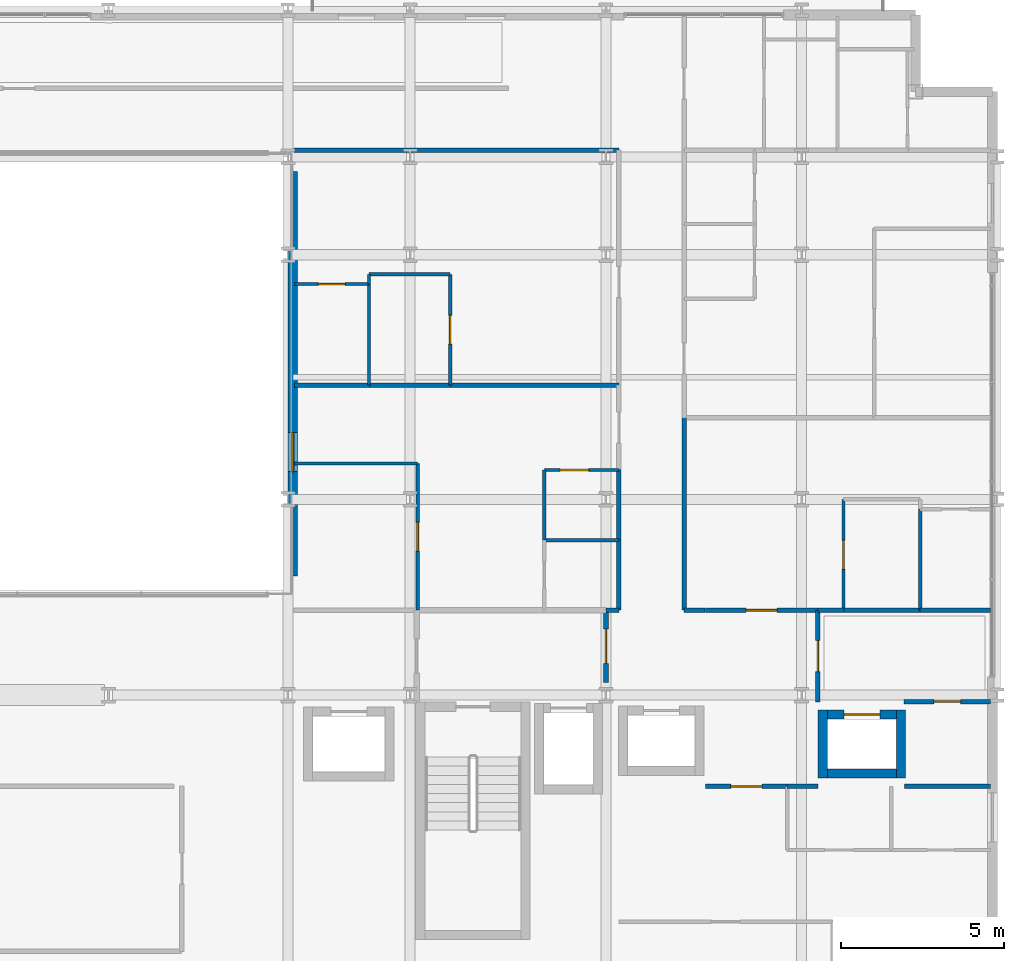
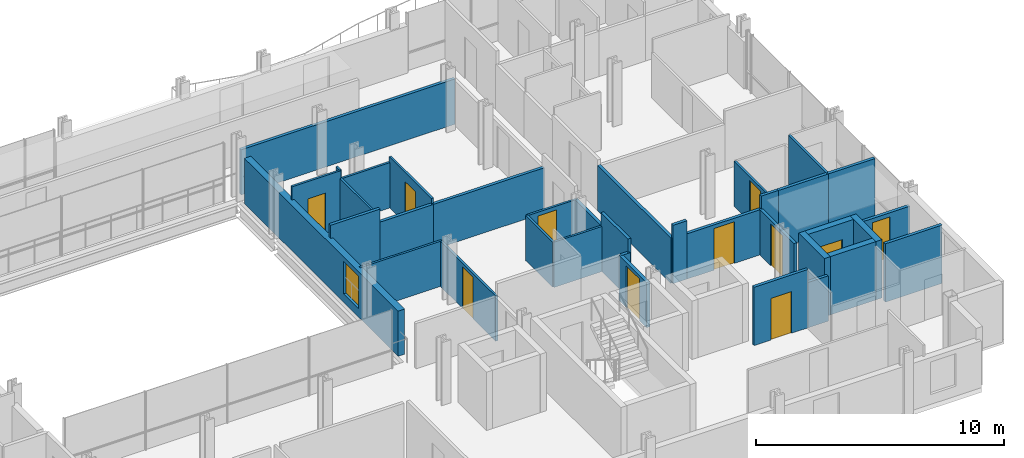
# One storey, part 35 of 41: 36 walls, 11 doors, 1 window, 12 openings.
"""IFC4 building model written with IfcOpenShell, lengths in metres."""

from ifc_helpers import new_model, si_unit, direction, frame, frame_2d, origin, place, context, subcontext, project, spatial, rectangle, extrude, material, layer, layer_set, type_object, element, fill, save


model = new_model("IFC4")

# Units and contexts
model_context = context("Model", 3, precision=1e-05, world=origin(), true_north=direction((0.0, 1.0)))
body_context = subcontext(model_context, "Body", "Model", "MODEL_VIEW")
ifc_project = project(units=[si_unit("LENGTHUNIT", "METRE"), si_unit("AREAUNIT", "SQUARE_METRE"), si_unit("VOLUMEUNIT", "CUBIC_METRE"), si_unit("PLANEANGLEUNIT", "RADIAN"), si_unit("MASSUNIT", "GRAM", prefix="KILO")], contexts=[model_context])

# Site, building, storey
site_placement = place(None, origin())
site = spatial("IfcSite", under=ifc_project, at=site_placement, CompositionType="ELEMENT")
building_placement = place(site_placement, origin())
building = spatial("IfcBuilding", under=site, at=building_placement, Name="Brevholm Reach", CompositionType="ELEMENT")
storey_placement = place(building_placement, frame((0.0, 0.0, 55.89990234375)))
storey = spatial("IfcBuildingStorey", under=building, at=storey_placement, Name="L15", CompositionType="ELEMENT", Elevation=55.89990234375)

# Walls
ifc_material_1 = material(Name="Concrete C50/60", Category="concrete")
ifc_layer_1 = layer(ifc_material_1, 0.280029296875)
ifc_layer_set_1 = layer_set([ifc_layer_1], Name="Concrete C50/60")
wall_type_1 = type_object("IfcWallType", Name="WAL-COR-280", PredefinedType="SHEAR", material=ifc_layer_set_1)
for number, where, z_axis, x_axis, name in (
    (1, (54.64990234375, 7.4599609375, 0.0), (0.0, 0.0, 1.0), (0.0, 1.0, 0.0), "L15 Lift PL-L2 Shaft Wall W"),
    (2, (57.050048828125, 7.4599609375, 0.0), (0.0, 0.0, 1.0), (0.0, 1.0, 0.0), "L15 Lift PL-L2 Shaft Wall E"),
):
    element("IfcWall", number, at=place(storey_placement, frame(where, z_axis=z_axis, x_axis=x_axis)), inside=storey, type_object=wall_type_1, Name=name, PredefinedType="SHEAR", context=body_context, shape_type="SweptSolid", body=[
        extrude(rectangle(XDim=2.080078125, YDim=0.280029296875, at=frame_2d((1.0400390625, 0.0))), origin(), (0.0, 0.0, 1.0), 2.8701171875),
    ])
wall_1_placement = place(storey_placement, frame((54.7900390625, 7.60009765625, 0.0), z_axis=(0.0, 0.0, 1.0), x_axis=(1.0, 0.0, 0.0)))
element("IfcWall", 3, at=wall_1_placement, inside=storey, type_object=wall_type_1, Name="L15 Lift PL-L2 Shaft Wall S", PredefinedType="SHEAR", context=body_context, shape_type="SweptSolid", body=[
    extrude(rectangle(XDim=2.119873046875, YDim=0.280029296875, at=frame_2d((1.06005859375, 0.0))), origin(), (0.0, 0.0, 1.0), 2.8701171875),
])

# Wall, opening, door
wall_2_placement = place(storey_placement, frame((54.7900390625, 9.39990234375, 0.0), z_axis=(0.0, 0.0, 1.0), x_axis=(1.0, 0.0, 0.0)))
wall_2 = element("IfcWall", 4, at=wall_2_placement, inside=storey, type_object=wall_type_1, Name="L15 Lift PL-L2 Shaft Wall N", PredefinedType="SHEAR", context=body_context, shape_type="SweptSolid", body=[
    extrude(rectangle(XDim=2.119873046875, YDim=0.280029296875, at=frame_2d((1.06005859375, 0.0))), origin(), (0.0, 0.0, 1.0), 2.8701171875),
])
opening_1_placement = place(wall_2_placement, frame((0.510009765625, 0.0, 0.0)))
opening_1 = element("IfcOpeningElement", 5, at=opening_1_placement, cuts=wall_2, Name="Opening LD-PL-L2", PredefinedType="OPENING", context=body_context, shape_type="SweptSolid", body=[
    extrude(rectangle(XDim=1.10009765625, YDim=2.06005859375, at=frame_2d((0.550048828125, 1.030029296875))), frame((0.0, 0.14990234375, 0.0), z_axis=(0.0, -1.0, 0.0), x_axis=(1.0, 0.0, 0.0)), (0.0, 0.0, 1.0), 0.300048828125),
])
ifc_material_2 = material(Name="Brushed Stainless Steel Fire-Rated Sliding Lift Door", Category="steel")
door_type_1 = type_object("IfcDoorType", Name="DOR-LFT-1100", OperationType="NOTDEFINED", PredefinedType="DOOR", material=ifc_material_2)
door_1_placement = place(opening_1_placement, origin())
door_1 = element("IfcDoor", 6, at=door_1_placement, inside=storey, type_object=door_type_1, Name="L15 Lift PL-L2 Sliding Landing Door", OperationType="SLIDING_TO_RIGHT", OverallHeight=2.06005859375, OverallWidth=1.10009765625, PredefinedType="DOOR", context=body_context, shape_type="SweptSolid", body=[
    extrude(rectangle(XDim=1.10009765625, YDim=2.06005859375, at=frame_2d((0.550048828125, 1.030029296875))), frame((0.0, 0.02490234375, 0.0), z_axis=(0.0, -1.0, 0.0), x_axis=(1.0, 0.0, 0.0)), (0.0, 0.0, 1.0), 0.050048828125),
])
fill(opening_1, door_1)

# Wall, opening, window
ifc_material_3 = material(Name="Concrete C40/50", Category="concrete")
ifc_layer_2 = layer(ifc_material_3, 0.300048828125)
ifc_layer_set_2 = layer_set([ifc_layer_2], Name="Concrete C40/50")
wall_type_2 = type_object("IfcWallType", Name="WAL-EXT-300", PredefinedType="STANDARD", material=ifc_layer_set_2)
wall_3_placement = place(storey_placement, frame((38.39990234375, 13.64990234375, 0.0), z_axis=(0.0, 0.0, 1.0), x_axis=(0.0, 1.0, 0.0)))
wall_3 = element("IfcWall", 7, at=wall_3_placement, inside=storey, type_object=wall_type_2, Name="L15 Facade Wall WAL-L15-AT-E", PredefinedType="STANDARD", context=body_context, shape_type="SweptSolid", body=[
    extrude(rectangle(XDim=12.400146484375, YDim=0.300048828125, at=frame_2d((6.2001953125, 0.0))), origin(), (0.0, 0.0, 1.0), 2.224853515625),
])
opening_2_placement = place(wall_3_placement, frame((3.199951171875, 0.0, 0.405029296875)))
opening_2 = element("IfcOpeningElement", 8, at=opening_2_placement, cuts=wall_3, Name="Opening WN-08", PredefinedType="OPENING", context=body_context, shape_type="SweptSolid", body=[
    extrude(rectangle(XDim=1.199951171875, YDim=1.60009765625, at=frame_2d((0.60009765625, 0.800048828125))), frame((0.0, 0.159912109375, 0.0), z_axis=(0.0, -1.0, 0.0), x_axis=(1.0, 0.0, 0.0)), (0.0, 0.0, 1.0), 0.320068359375),
])
ifc_material_4 = material(Name="Dark Anodised Aluminium and Solar-Control IGU Glass", Category="aluminium")
window_type = type_object("IfcWindowType", Name="WIN-RES-1200", PartitioningType="SINGLE_PANEL", PredefinedType="WINDOW", material=ifc_material_4)
window_placement = place(opening_2_placement, origin())
window = element("IfcWindow", 9, at=window_placement, inside=storey, type_object=window_type, Name="L15 Window WIN-L15-AT-E1", OverallHeight=1.60009765625, OverallWidth=1.199951171875, PartitioningType="SINGLE_PANEL", PredefinedType="WINDOW", context=body_context, shape_type="SweptSolid", body=[
    extrude(rectangle(XDim=1.199951171875, YDim=1.60009765625, at=frame_2d((0.60009765625, 0.800048828125))), frame((0.0, 0.030029296875, 0.0), z_axis=(0.0, -1.0, 0.0), x_axis=(1.0, 0.0, 0.0)), (0.0, 0.0, 1.0), 0.06005859375),
])
fill(opening_2, window)

# Wall
ifc_material_5 = material(Name="Moisture-Resistant Acoustic Gypsum Stud Partition 100 mm", Category="gypsum")
ifc_layer_3 = layer(ifc_material_5, 0.10009765625)
ifc_layer_set_3 = layer_set([ifc_layer_3], Name="Moisture-Resistant Acoustic Gypsum Stud Partition 100 mm")
wall_type_3 = type_object("IfcWallType", Name="WAL-PRT-100", PredefinedType="PARTITIONING", material=ifc_layer_set_3)
wall_4_placement = place(storey_placement, frame((46.112060546875, 14.75, 0.0), z_axis=(0.0, 0.0, 1.0), x_axis=(1.0, 0.0, 0.0)))
element("IfcWall", 10, at=wall_4_placement, inside=storey, type_object=wall_type_3, Name="L15 Internal Partition 110", PredefinedType="PARTITIONING", context=body_context, shape_type="SweptSolid", body=[
    extrude(rectangle(XDim=2.283935546875, YDim=0.10009765625, at=frame_2d((1.14208984375, 0.0))), origin(), (0.0, 0.0, 1.0), 2.224853515625),
])

# Wall, opening, door
wall_5_placement = place(storey_placement, frame((46.112060546875, 16.89990234375, 0.0), z_axis=(0.0, 0.0, 1.0), x_axis=(1.0, 0.0, 0.0)))
wall_5 = element("IfcWall", 11, at=wall_5_placement, inside=storey, type_object=wall_type_3, Name="L15 Internal Partition 112", PredefinedType="PARTITIONING", context=body_context, shape_type="SweptSolid", body=[
    extrude(rectangle(XDim=2.283935546875, YDim=0.10009765625, at=frame_2d((1.14208984375, 0.0))), origin(), (0.0, 0.0, 1.0), 2.224853515625),
])
opening_3_placement = place(wall_5_placement, frame((0.48193359375, 0.0, 0.0)))
opening_3 = element("IfcOpeningElement", 12, at=opening_3_placement, cuts=wall_5, Name="Opening ID-01", PredefinedType="OPENING", context=body_context, shape_type="SweptSolid", body=[
    extrude(rectangle(XDim=0.8798828125, YDim=2.0400390625, at=frame_2d((0.43994140625, 1.02001953125))), frame((0.0, 0.06005859375, 0.0), z_axis=(0.0, -1.0, 0.0), x_axis=(1.0, 0.0, 0.0)), (0.0, 0.0, 1.0), 0.1201171875),
])
ifc_material_6 = material(Name="Lacquered Ash Solid-Core Acoustic Internal Door", Category="timber")
door_type_2 = type_object("IfcDoorType", Name="DOR-INT-880", OperationType="NOTDEFINED", PredefinedType="DOOR", material=ifc_material_6)
door_2_placement = place(opening_3_placement, origin())
door_2 = element("IfcDoor", 13, at=door_2_placement, inside=storey, type_object=door_type_2, Name="L15 Internal Door 044", OperationType="SINGLE_SWING_LEFT", OverallHeight=2.0400390625, OverallWidth=0.8798828125, PredefinedType="DOOR", context=body_context, shape_type="SweptSolid", body=[
    extrude(rectangle(XDim=0.8798828125, YDim=2.0400390625, at=frame_2d((0.43994140625, 1.02001953125))), frame((0.0, 0.02490234375, 0.0), z_axis=(0.0, -1.0, 0.0), x_axis=(1.0, 0.0, 0.0)), (0.0, 0.0, 1.0), 0.050048828125),
])
fill(opening_3, door_2)

# Wall
wall_6_placement = place(storey_placement, frame((46.112060546875, 14.75390625, 0.0), z_axis=(0.0, 0.0, 1.0), x_axis=(0.0, 1.0, 0.0)))
element("IfcWall", 14, at=wall_6_placement, inside=storey, type_object=wall_type_3, Name="L15 Internal Partition 113", PredefinedType="PARTITIONING", context=body_context, shape_type="SweptSolid", body=[
    extrude(rectangle(XDim=2.14599609375, YDim=0.10009765625, at=frame_2d((1.072998046875, 0.0))), origin(), (0.0, 0.0, 1.0), 2.224853515625),
])

# Wall, opening, door
wall_7_placement = place(storey_placement, frame((42.23095703125, 12.60400390625, 0.0), z_axis=(0.0, 0.0, 1.0), x_axis=(0.0, 1.0, 0.0)))
wall_7 = element("IfcWall", 15, at=wall_7_placement, inside=storey, type_object=wall_type_3, Name="L15 Internal Partition 114", PredefinedType="PARTITIONING", context=body_context, shape_type="SweptSolid", body=[
    extrude(rectangle(XDim=4.49609375, YDim=0.10009765625, at=frame_2d((2.248046875, 0.0))), origin(), (0.0, 0.0, 1.0), 2.224853515625),
])
opening_4_placement = place(wall_7_placement, frame((1.80810546875, 0.0, 0.0)))
opening_4 = element("IfcOpeningElement", 16, at=opening_4_placement, cuts=wall_7, Name="Opening ID-01", PredefinedType="OPENING", context=body_context, shape_type="SweptSolid", body=[
    extrude(rectangle(XDim=0.8798828125, YDim=2.0400390625, at=frame_2d((0.43994140625, 1.02001953125))), frame((0.0, 0.06005859375, 0.0), z_axis=(0.0, -1.0, 0.0), x_axis=(1.0, 0.0, 0.0)), (0.0, 0.0, 1.0), 0.1201171875),
])
door_3_placement = place(opening_4_placement, origin())
door_3 = element("IfcDoor", 17, at=door_3_placement, inside=storey, type_object=door_type_2, Name="L15 Internal Door 045", OperationType="SINGLE_SWING_RIGHT", OverallHeight=2.0400390625, OverallWidth=0.8798828125, PredefinedType="DOOR", context=body_context, shape_type="SweptSolid", body=[
    extrude(rectangle(XDim=0.8798828125, YDim=2.0400390625, at=frame_2d((0.43994140625, 1.02001953125))), frame((0.0, 0.02490234375, 0.0), z_axis=(0.0, -1.0, 0.0), x_axis=(1.0, 0.0, 0.0)), (0.0, 0.0, 1.0), 0.050048828125),
])
fill(opening_4, door_3)

# Walls
wall_8_placement = place(storey_placement, frame((38.449951171875, 17.10009765625, 0.0), z_axis=(0.0, 0.0, 1.0), x_axis=(1.0, 0.0, 0.0)))
element("IfcWall", 18, at=wall_8_placement, inside=storey, type_object=wall_type_3, Name="L15 Internal Partition 115", PredefinedType="PARTITIONING", context=body_context, shape_type="SweptSolid", body=[
    extrude(rectangle(XDim=3.781005859375, YDim=0.10009765625, at=frame_2d((1.890625, 0.0))), origin(), (0.0, 0.0, 1.0), 2.224853515625),
])
wall_9_placement = place(storey_placement, frame((40.738037109375, 19.50390625, 0.0), z_axis=(0.0, 0.0, 1.0), x_axis=(0.0, 1.0, 0.0)))
element("IfcWall", 19, at=wall_9_placement, inside=storey, type_object=wall_type_3, Name="L15 Internal Partition 119", PredefinedType="PARTITIONING", context=body_context, shape_type="SweptSolid", body=[
    extrude(rectangle(XDim=3.09619140625, YDim=0.10009765625, at=frame_2d((1.548095703125, 0.0))), origin(), (0.0, 0.0, 1.0), 2.489990234375),
])

# Wall, opening, door
wall_10_placement = place(storey_placement, frame((38.449951171875, 22.60009765625, 0.0), z_axis=(0.0, 0.0, 1.0), x_axis=(1.0, 0.0, 0.0)))
wall_10 = element("IfcWall", 20, at=wall_10_placement, inside=storey, type_object=wall_type_3, Name="L15 Internal Partition 120", PredefinedType="PARTITIONING", context=body_context, shape_type="SweptSolid", body=[
    extrude(rectangle(XDim=2.2880859375, YDim=0.10009765625, at=frame_2d((1.14404296875, 0.0))), origin(), (0.0, 0.0, 1.0), 2.8701171875),
])
opening_5_placement = place(wall_10_placement, frame((0.73388671875, 0.0, 0.0)))
opening_5 = element("IfcOpeningElement", 21, at=opening_5_placement, cuts=wall_10, Name="Opening ID-03", PredefinedType="OPENING", context=body_context, shape_type="SweptSolid", body=[
    extrude(rectangle(XDim=0.820068359375, YDim=2.02001953125, at=frame_2d((0.41015625, 1.010009765625))), frame((0.0, 0.06005859375, 0.0), z_axis=(0.0, -1.0, 0.0), x_axis=(1.0, 0.0, 0.0)), (0.0, 0.0, 1.0), 0.1201171875),
])
ifc_material_7 = material(Name="Moisture-Resistant Painted Timber Internal Bathroom Door", Category="wood")
door_type_3 = type_object("IfcDoorType", Name="DOR-BATH-820", OperationType="NOTDEFINED", PredefinedType="DOOR", material=ifc_material_7)
door_4_placement = place(opening_5_placement, origin())
door_4 = element("IfcDoor", 22, at=door_4_placement, inside=storey, type_object=door_type_3, Name="L15 Internal Door 046", OperationType="SINGLE_SWING_LEFT", OverallHeight=2.02001953125, OverallWidth=0.820068359375, PredefinedType="DOOR", context=body_context, shape_type="SweptSolid", body=[
    extrude(rectangle(XDim=0.820068359375, YDim=2.02001953125, at=frame_2d((0.41015625, 1.010009765625))), frame((0.0, 0.02490234375, 0.0), z_axis=(0.0, -1.0, 0.0), x_axis=(1.0, 0.0, 0.0)), (0.0, 0.0, 1.0), 0.050048828125),
])
fill(opening_5, door_4)

wall_11_placement = place(storey_placement, frame((43.22509765625, 19.50390625, 0.0), z_axis=(0.0, 0.0, 1.0), x_axis=(0.0, 1.0, 0.0)))
wall_11 = element("IfcWall", 23, at=wall_11_placement, inside=storey, type_object=wall_type_3, Name="L15 Internal Partition 121", PredefinedType="PARTITIONING", context=body_context, shape_type="SweptSolid", body=[
    extrude(rectangle(XDim=3.39599609375, YDim=0.10009765625, at=frame_2d((1.697998046875, 0.0))), origin(), (0.0, 0.0, 1.0), 2.489990234375),
])
opening_6_placement = place(wall_11_placement, frame((1.258056640625, 0.0, 0.0)))
opening_6 = element("IfcOpeningElement", 24, at=opening_6_placement, cuts=wall_11, Name="Opening ID-01", PredefinedType="OPENING", context=body_context, shape_type="SweptSolid", body=[
    extrude(rectangle(XDim=0.8798828125, YDim=2.0400390625, at=frame_2d((0.43994140625, 1.02001953125))), frame((0.0, 0.06005859375, 0.0), z_axis=(0.0, -1.0, 0.0), x_axis=(1.0, 0.0, 0.0)), (0.0, 0.0, 1.0), 0.1201171875),
])
door_5_placement = place(opening_6_placement, origin())
door_5 = element("IfcDoor", 25, at=door_5_placement, inside=storey, type_object=door_type_2, Name="L15 Internal Door 047", OperationType="SINGLE_SWING_RIGHT", OverallHeight=2.0400390625, OverallWidth=0.8798828125, PredefinedType="DOOR", context=body_context, shape_type="SweptSolid", body=[
    extrude(rectangle(XDim=0.8798828125, YDim=2.0400390625, at=frame_2d((0.43994140625, 1.02001953125))), frame((0.0, 0.02490234375, 0.0), z_axis=(0.0, -1.0, 0.0), x_axis=(1.0, 0.0, 0.0)), (0.0, 0.0, 1.0), 0.050048828125),
])
fill(opening_6, door_5)

# Walls
wall_12_placement = place(storey_placement, frame((40.738037109375, 22.89990234375, 0.0), z_axis=(0.0, 0.0, 1.0), x_axis=(1.0, 0.0, 0.0)))
element("IfcWall", 26, at=wall_12_placement, inside=storey, type_object=wall_type_3, Name="L15 Internal Partition 122", PredefinedType="PARTITIONING", context=body_context, shape_type="SweptSolid", body=[
    extrude(rectangle(XDim=2.487060546875, YDim=0.10009765625, at=frame_2d((1.24365234375, 0.0))), origin(), (0.0, 0.0, 1.0), 2.224853515625),
])
wall_13_placement = place(storey_placement, frame((40.738037109375, 22.60400390625, 0.0), z_axis=(0.0, 0.0, 1.0), x_axis=(0.0, 1.0, 0.0)))
element("IfcWall", 27, at=wall_13_placement, inside=storey, type_object=wall_type_3, Name="L15 Internal Partition 123", PredefinedType="PARTITIONING", context=body_context, shape_type="SweptSolid", body=[
    extrude(rectangle(XDim=0.2958984375, YDim=0.10009765625, at=frame_2d((0.14794921875, 0.0))), origin(), (0.0, 0.0, 1.0), 2.8701171875),
])
wall_14_placement = place(storey_placement, frame((57.637939453125, 12.60400390625, 0.0), z_axis=(0.0, 0.0, 1.0), x_axis=(0.0, 1.0, 0.0)))
element("IfcWall", 28, at=wall_14_placement, inside=storey, type_object=wall_type_3, Name="L15 Internal Partition 124", PredefinedType="PARTITIONING", context=body_context, shape_type="SweptSolid", body=[
    extrude(rectangle(XDim=3.095947265625, YDim=0.10009765625, at=frame_2d((1.5478515625, 0.0))), origin(), (0.0, 0.0, 1.0), 2.8701171875),
])

# Wall, opening, door
wall_15_placement = place(storey_placement, frame((55.2880859375, 12.60400390625, 0.0), z_axis=(0.0, 0.0, 1.0), x_axis=(0.0, 1.0, 0.0)))
wall_15 = element("IfcWall", 29, at=wall_15_placement, inside=storey, type_object=wall_type_3, Name="L15 Internal Partition 128", PredefinedType="PARTITIONING", context=body_context, shape_type="SweptSolid", body=[
    extrude(rectangle(XDim=3.39599609375, YDim=0.10009765625, at=frame_2d((1.697998046875, 0.0))), origin(), (0.0, 0.0, 1.0), 2.224853515625),
])
opening_7_placement = place(wall_15_placement, frame((1.258056640625, 0.0, 0.0)))
opening_7 = element("IfcOpeningElement", 30, at=opening_7_placement, cuts=wall_15, Name="Opening ID-01", PredefinedType="OPENING", context=body_context, shape_type="SweptSolid", body=[
    extrude(rectangle(XDim=0.8798828125, YDim=2.0400390625, at=frame_2d((0.43994140625, 1.02001953125))), frame((0.0, 0.06005859375, 0.0), z_axis=(0.0, -1.0, 0.0), x_axis=(1.0, 0.0, 0.0)), (0.0, 0.0, 1.0), 0.1201171875),
])
door_6_placement = place(opening_7_placement, origin())
door_6 = element("IfcDoor", 31, at=door_6_placement, inside=storey, type_object=door_type_2, Name="L15 Internal Door 049", OperationType="SINGLE_SWING_RIGHT", OverallHeight=2.0400390625, OverallWidth=0.8798828125, PredefinedType="DOOR", context=body_context, shape_type="SweptSolid", body=[
    extrude(rectangle(XDim=0.8798828125, YDim=2.0400390625, at=frame_2d((0.43994140625, 1.02001953125))), frame((0.0, 0.02490234375, 0.0), z_axis=(0.0, -1.0, 0.0), x_axis=(1.0, 0.0, 0.0)), (0.0, 0.0, 1.0), 0.050048828125),
])
fill(opening_7, door_6)

ifc_material_8 = material(Name="Twin-Stud Acoustic Fire-Rated Gypsum Partition 140 mm", Category="gypsum")
ifc_layer_4 = layer(ifc_material_8, 0.139892578125)
ifc_layer_set_4 = layer_set([ifc_layer_4], Name="Twin-Stud Acoustic Fire-Rated Gypsum Partition 140 mm")
wall_type_4 = type_object("IfcWallType", Name="WAL-PRT-140", PredefinedType="PARTITIONING", material=ifc_layer_set_4)
wall_16_placement = place(storey_placement, frame((54.5, 9.788818359375, 0.0), z_axis=(0.0, 0.0, 1.0), x_axis=(0.0, 1.0, 0.0)))
wall_16 = element("IfcWall", 32, at=wall_16_placement, inside=storey, type_object=wall_type_4, Name="L15 Internal Partition 013", PredefinedType="PARTITIONING", context=body_context, shape_type="SweptSolid", body=[
    extrude(rectangle(XDim=2.811279296875, YDim=0.139892578125, at=frame_2d((1.40576171875, 0.0))), origin(), (0.0, 0.0, 1.0), 2.224853515625),
])
opening_8_placement = place(wall_16_placement, frame((0.9306640625, 0.0, 0.0)))
opening_8 = element("IfcOpeningElement", 33, at=opening_8_placement, cuts=wall_16, Name="Opening ID-30", PredefinedType="OPENING", context=body_context, shape_type="SweptSolid", body=[
    extrude(rectangle(XDim=0.949951171875, YDim=2.050048828125, at=frame_2d((0.47509765625, 1.02490234375))), frame((0.0, 0.079833984375, 0.0), z_axis=(0.0, -1.0, 0.0), x_axis=(1.0, 0.0, 0.0)), (0.0, 0.0, 1.0), 0.159912109375),
])
ifc_material_9 = material(Name="European Oak Veneered Solid-Core Fire Entrance Door", Category="timber")
door_type_4 = type_object("IfcDoorType", Name="DOR-FLT-FD30S", OperationType="NOTDEFINED", PredefinedType="DOOR", material=ifc_material_9)
door_7_placement = place(opening_8_placement, origin())
door_7 = element("IfcDoor", 34, at=door_7_placement, inside=storey, type_object=door_type_4, Name="L15 Internal Door 008", OperationType="SINGLE_SWING_LEFT", OverallHeight=2.050048828125, OverallWidth=0.949951171875, PredefinedType="DOOR", context=body_context, shape_type="SweptSolid", body=[
    extrude(rectangle(XDim=0.949951171875, YDim=2.050048828125, at=frame_2d((0.47509765625, 1.02490234375))), frame((0.0, 0.02490234375, 0.0), z_axis=(0.0, -1.0, 0.0), x_axis=(1.0, 0.0, 0.0)), (0.0, 0.0, 1.0), 0.050048828125),
])
fill(opening_8, door_7)

# Wall
wall_17_placement = place(storey_placement, frame((53.546630859375, 7.199951171875, 0.0), z_axis=(0.0, 0.0, 1.0), x_axis=(1.0, 0.0, 0.0)))
element("IfcWall", 35, at=wall_17_placement, inside=storey, type_object=wall_type_4, Name="L15 Internal Partition 014", PredefinedType="PARTITIONING", context=body_context, shape_type="SweptSolid", body=[
    extrude(rectangle(XDim=0.953369140625, YDim=0.139892578125, at=frame_2d((0.4765625, 0.0))), origin(), (0.0, 0.0, 1.0), 2.224853515625),
])

# Wall, opening, door
wall_18_placement = place(storey_placement, frame((51.050048828125, 7.199951171875, 0.0), z_axis=(0.0, 0.0, 1.0), x_axis=(1.0, 0.0, 0.0)))
wall_18 = element("IfcWall", 36, at=wall_18_placement, inside=storey, type_object=wall_type_4, Name="L15 Internal Partition 015", PredefinedType="PARTITIONING", context=body_context, shape_type="SweptSolid", body=[
    extrude(rectangle(XDim=2.51513671875, YDim=0.139892578125, at=frame_2d((1.257568359375, 0.0))), origin(), (0.0, 0.0, 1.0), 2.8701171875),
])
opening_9_placement = place(wall_18_placement, frame((0.78271484375, 0.0, 0.0)))
opening_9 = element("IfcOpeningElement", 37, at=opening_9_placement, cuts=wall_18, Name="Opening ID-30", PredefinedType="OPENING", context=body_context, shape_type="SweptSolid", body=[
    extrude(rectangle(XDim=0.949951171875, YDim=2.050048828125, at=frame_2d((0.47509765625, 1.02490234375))), frame((0.0, 0.079833984375, 0.0), z_axis=(0.0, -1.0, 0.0), x_axis=(1.0, 0.0, 0.0)), (0.0, 0.0, 1.0), 0.159912109375),
])
door_8_placement = place(opening_9_placement, origin())
door_8 = element("IfcDoor", 38, at=door_8_placement, inside=storey, type_object=door_type_4, Name="L15 Internal Door 009", OperationType="SINGLE_SWING_RIGHT", OverallHeight=2.050048828125, OverallWidth=0.949951171875, PredefinedType="DOOR", context=body_context, shape_type="SweptSolid", body=[
    extrude(rectangle(XDim=0.949951171875, YDim=2.050048828125, at=frame_2d((0.47509765625, 1.02490234375))), frame((0.0, 0.02490234375, 0.0), z_axis=(0.0, -1.0, 0.0), x_axis=(1.0, 0.0, 0.0)), (0.0, 0.0, 1.0), 0.050048828125),
])
fill(opening_9, door_8)

wall_19_placement = place(storey_placement, frame((51.050048828125, 12.60009765625, 0.0), z_axis=(0.0, 0.0, 1.0), x_axis=(1.0, 0.0, 0.0)))
wall_19 = element("IfcWall", 39, at=wall_19_placement, inside=storey, type_object=wall_type_4, Name="L15 Internal Partition 016", PredefinedType="PARTITIONING", context=body_context, shape_type="SweptSolid", body=[
    extrude(rectangle(XDim=3.449951171875, YDim=0.139892578125, at=frame_2d((1.72509765625, 0.0))), origin(), (0.0, 0.0, 1.0), 2.224853515625),
])
opening_10_placement = place(wall_19_placement, frame((1.25, 0.0, 0.0)))
opening_10 = element("IfcOpeningElement", 40, at=opening_10_placement, cuts=wall_19, Name="Opening ID-30", PredefinedType="OPENING", context=body_context, shape_type="SweptSolid", body=[
    extrude(rectangle(XDim=0.949951171875, YDim=2.050048828125, at=frame_2d((0.47509765625, 1.02490234375))), frame((0.0, 0.079833984375, 0.0), z_axis=(0.0, -1.0, 0.0), x_axis=(1.0, 0.0, 0.0)), (0.0, 0.0, 1.0), 0.159912109375),
])
door_9_placement = place(opening_10_placement, origin())
door_9 = element("IfcDoor", 41, at=door_9_placement, inside=storey, type_object=door_type_4, Name="L15 Internal Door 010", OperationType="SINGLE_SWING_LEFT", OverallHeight=2.050048828125, OverallWidth=0.949951171875, PredefinedType="DOOR", context=body_context, shape_type="SweptSolid", body=[
    extrude(rectangle(XDim=0.949951171875, YDim=2.050048828125, at=frame_2d((0.47509765625, 1.02490234375))), frame((0.0, 0.02490234375, 0.0), z_axis=(0.0, -1.0, 0.0), x_axis=(1.0, 0.0, 0.0)), (0.0, 0.0, 1.0), 0.050048828125),
])
fill(opening_10, door_9)

# Walls
wall_20_placement = place(storey_placement, frame((48.00390625, 12.60009765625, 0.0), z_axis=(0.0, 0.0, 1.0), x_axis=(1.0, 0.0, 0.0)))
element("IfcWall", 42, at=wall_20_placement, inside=storey, type_object=wall_type_4, Name="L15 Internal Partition 032", PredefinedType="PARTITIONING", context=body_context, shape_type="SweptSolid", body=[
    extrude(rectangle(XDim=0.4033203125, YDim=0.139892578125, at=frame_2d((0.20166015625, 0.0))), origin(), (0.0, 0.0, 1.0), 2.224853515625),
])
wall_21_placement = place(storey_placement, frame((50.392578125, 12.60009765625, 0.0), z_axis=(0.0, 0.0, 1.0), x_axis=(1.0, 0.0, 0.0)))
element("IfcWall", 43, at=wall_21_placement, inside=storey, type_object=wall_type_4, Name="L15 Internal Partition 033", PredefinedType="PARTITIONING", context=body_context, shape_type="SweptSolid", body=[
    extrude(rectangle(XDim=0.6533203125, YDim=0.139892578125, at=frame_2d((0.32666015625, 0.0))), origin(), (0.0, 0.0, 1.0), 2.8701171875),
])
wall_22_placement = place(storey_placement, frame((48.39990234375, 12.60400390625, 0.0), z_axis=(0.0, 0.0, 1.0), x_axis=(0.0, 1.0, 0.0)))
element("IfcWall", 44, at=wall_22_placement, inside=storey, type_object=wall_type_4, Name="L15 Internal Partition 043", PredefinedType="PARTITIONING", context=body_context, shape_type="SweptSolid", body=[
    extrude(rectangle(XDim=2.1572265625, YDim=0.139892578125, at=frame_2d((1.07861328125, 0.0))), origin(), (0.0, 0.0, 1.0), 2.8701171875),
])
wall_23_placement = place(storey_placement, frame((48.39990234375, 14.74267578125, 0.0), z_axis=(0.0, 0.0, 1.0), x_axis=(0.0, 1.0, 0.0)))
element("IfcWall", 45, at=wall_23_placement, inside=storey, type_object=wall_type_4, Name="L15 Internal Partition 044", PredefinedType="PARTITIONING", context=body_context, shape_type="SweptSolid", body=[
    extrude(rectangle(XDim=2.168701171875, YDim=0.139892578125, at=frame_2d((1.08447265625, 0.0))), origin(), (0.0, 0.0, 1.0), 2.224853515625),
])
wall_24_placement = place(storey_placement, frame((50.39990234375, 12.60400390625, 0.0), z_axis=(0.0, 0.0, 1.0), x_axis=(0.0, 1.0, 0.0)))
element("IfcWall", 46, at=wall_24_placement, inside=storey, type_object=wall_type_4, Name="L15 Internal Partition 047", PredefinedType="PARTITIONING", context=body_context, shape_type="SweptSolid", body=[
    extrude(rectangle(XDim=5.9072265625, YDim=0.139892578125, at=frame_2d((2.95361328125, 0.0))), origin(), (0.0, 0.0, 1.0), 2.224853515625),
])
wall_25_placement = place(storey_placement, frame((38.438720703125, 26.699951171875, 0.0), z_axis=(0.0, 0.0, 1.0), x_axis=(1.0, 0.0, 0.0)))
element("IfcWall", 47, at=wall_25_placement, inside=storey, type_object=wall_type_4, Name="L15 Internal Partition 054", PredefinedType="PARTITIONING", context=body_context, shape_type="SweptSolid", body=[
    extrude(rectangle(XDim=9.957275390625, YDim=0.139892578125, at=frame_2d((4.978515625, 0.0))), origin(), (0.0, 0.0, 1.0), 2.224853515625),
])

# Wall, opening, door
wall_26_placement = place(storey_placement, frame((57.138671875, 9.800048828125, 0.0), z_axis=(0.0, 0.0, 1.0), x_axis=(1.0, 0.0, 0.0)))
wall_26 = element("IfcWall", 48, at=wall_26_placement, inside=storey, type_object=wall_type_4, Name="L15 Internal Partition 068", PredefinedType="PARTITIONING", context=body_context, shape_type="SweptSolid", body=[
    extrude(rectangle(XDim=2.661376953125, YDim=0.139892578125, at=frame_2d((1.33056640625, 0.0))), origin(), (0.0, 0.0, 1.0), 2.224853515625),
])
opening_11_placement = place(wall_26_placement, frame((0.920654296875, 0.0, 0.0)))
opening_11 = element("IfcOpeningElement", 49, at=opening_11_placement, cuts=wall_26, Name="Opening ID-02", PredefinedType="OPENING", context=body_context, shape_type="SweptSolid", body=[
    extrude(rectangle(XDim=0.820068359375, YDim=2.02001953125, at=frame_2d((0.41015625, 1.010009765625))), frame((0.0, 0.079833984375, 0.0), z_axis=(0.0, -1.0, 0.0), x_axis=(1.0, 0.0, 0.0)), (0.0, 0.0, 1.0), 0.159912109375),
])
ifc_material_10 = material(Name="Moisture-Resistant Painted Timber Fire-Rated Riser and Service Door", Category="wood")
door_type_5 = type_object("IfcDoorType", Name="DOR-SRV-820", OperationType="NOTDEFINED", PredefinedType="DOOR", material=ifc_material_10)
door_10_placement = place(opening_11_placement, origin())
door_10 = element("IfcDoor", 50, at=door_10_placement, inside=storey, type_object=door_type_5, Name="L15 Access Door 057", OperationType="SINGLE_SWING_RIGHT", OverallHeight=2.02001953125, OverallWidth=0.820068359375, PredefinedType="DOOR", context=body_context, shape_type="SweptSolid", body=[
    extrude(rectangle(XDim=0.820068359375, YDim=2.02001953125, at=frame_2d((0.41015625, 1.010009765625))), frame((0.0, 0.02490234375, 0.0), z_axis=(0.0, -1.0, 0.0), x_axis=(1.0, 0.0, 0.0)), (0.0, 0.0, 1.0), 0.050048828125),
])
fill(opening_11, door_10)

# Walls
wall_27_placement = place(storey_placement, frame((57.626708984375, 12.60009765625, 0.0), z_axis=(0.0, 0.0, 1.0), x_axis=(1.0, 0.0, 0.0)))
element("IfcWall", 51, at=wall_27_placement, inside=storey, type_object=wall_type_4, Name="L15 Internal Partition 069", PredefinedType="PARTITIONING", context=body_context, shape_type="SweptSolid", body=[
    extrude(rectangle(XDim=2.17333984375, YDim=0.139892578125, at=frame_2d((1.086669921875, 0.0))), origin(), (0.0, 0.0, 1.0), 2.8701171875),
])
wall_28_placement = place(storey_placement, frame((55.276611328125, 12.60009765625, 0.0), z_axis=(0.0, 0.0, 1.0), x_axis=(1.0, 0.0, 0.0)))
element("IfcWall", 52, at=wall_28_placement, inside=storey, type_object=wall_type_4, Name="L15 Internal Partition 070", PredefinedType="PARTITIONING", context=body_context, shape_type="SweptSolid", body=[
    extrude(rectangle(XDim=2.36865234375, YDim=0.139892578125, at=frame_2d((1.184326171875, 0.0))), origin(), (0.0, 0.0, 1.0), 2.8701171875),
])
wall_29_placement = place(storey_placement, frame((54.50390625, 12.60009765625, 0.0), z_axis=(0.0, 0.0, 1.0), x_axis=(1.0, 0.0, 0.0)))
element("IfcWall", 53, at=wall_29_placement, inside=storey, type_object=wall_type_4, Name="L15 Internal Partition 071", PredefinedType="PARTITIONING", context=body_context, shape_type="SweptSolid", body=[
    extrude(rectangle(XDim=0.79150390625, YDim=0.139892578125, at=frame_2d((0.395751953125, 0.0))), origin(), (0.0, 0.0, 1.0), 2.8701171875),
])
wall_30_placement = place(storey_placement, frame((57.14990234375, 7.199951171875, 0.0), z_axis=(0.0, 0.0, 1.0), x_axis=(1.0, 0.0, 0.0)))
element("IfcWall", 54, at=wall_30_placement, inside=storey, type_object=wall_type_4, Name="L15 Internal Partition 072", PredefinedType="PARTITIONING", context=body_context, shape_type="SweptSolid", body=[
    extrude(rectangle(XDim=2.650146484375, YDim=0.139892578125, at=frame_2d((1.3251953125, 0.0))), origin(), (0.0, 0.0, 1.0), 2.8701171875),
])
wall_31_placement = place(storey_placement, frame((38.449951171875, 19.5, 0.0), z_axis=(0.0, 0.0, 1.0), x_axis=(1.0, 0.0, 0.0)))
element("IfcWall", 55, at=wall_31_placement, inside=storey, type_object=wall_type_4, Name="L15 Internal Partition 116", PredefinedType="PARTITIONING", context=body_context, shape_type="SweptSolid", body=[
    extrude(rectangle(XDim=2.29931640625, YDim=0.139892578125, at=frame_2d((1.149658203125, 0.0))), origin(), (0.0, 0.0, 1.0), 2.8701171875),
])
wall_32_placement = place(storey_placement, frame((40.730712890625, 19.5, 0.0), z_axis=(0.0, 0.0, 1.0), x_axis=(1.0, 0.0, 0.0)))
element("IfcWall", 56, at=wall_32_placement, inside=storey, type_object=wall_type_4, Name="L15 Internal Partition 117", PredefinedType="PARTITIONING", context=body_context, shape_type="SweptSolid", body=[
    extrude(rectangle(XDim=2.505615234375, YDim=0.139892578125, at=frame_2d((1.2529296875, 0.0))), origin(), (0.0, 0.0, 1.0), 2.224853515625),
])
wall_33_placement = place(storey_placement, frame((43.2177734375, 19.5, 0.0), z_axis=(0.0, 0.0, 1.0), x_axis=(1.0, 0.0, 0.0)))
element("IfcWall", 57, at=wall_33_placement, inside=storey, type_object=wall_type_4, Name="L15 Internal Partition 118", PredefinedType="PARTITIONING", context=body_context, shape_type="SweptSolid", body=[
    extrude(rectangle(XDim=5.17822265625, YDim=0.139892578125, at=frame_2d((2.589111328125, 0.0))), origin(), (0.0, 0.0, 1.0), 2.224853515625),
])

# Wall, opening, door
ifc_material_11 = material(Name="Twin-Frame Fire-Rated Gypsum Board and Mineral Wool 160 mm", Category="gypsum")
ifc_layer_5 = layer(ifc_material_11, 0.159912109375)
ifc_layer_set_5 = layer_set([ifc_layer_5], Name="Twin-Frame Fire-Rated Gypsum Board and Mineral Wool 160 mm")
wall_type_5 = type_object("IfcWallType", Name="WAL-PRT-160", PredefinedType="PARTITIONING", material=ifc_layer_set_5)
wall_34_placement = place(storey_placement, frame((48.0, 10.388671875, 0.0), z_axis=(0.0, 0.0, 1.0), x_axis=(0.0, 1.0, 0.0)))
wall_34 = element("IfcWall", 58, at=wall_34_placement, inside=storey, type_object=wall_type_5, Name="L15 Internal Partition 024", PredefinedType="PARTITIONING", context=body_context, shape_type="SweptSolid", body=[
    extrude(rectangle(XDim=2.21142578125, YDim=0.159912109375, at=frame_2d((1.105712890625, 0.0))), origin(), (0.0, 0.0, 1.0), 2.224853515625),
])
opening_12_placement = place(wall_34_placement, frame((0.58056640625, 0.0, 0.0)))
opening_12 = element("IfcOpeningElement", 59, at=opening_12_placement, cuts=wall_34, Name="Opening FD-01", PredefinedType="OPENING", context=body_context, shape_type="SweptSolid", body=[
    extrude(rectangle(XDim=1.050048828125, YDim=2.06005859375, at=frame_2d((0.52490234375, 1.030029296875))), frame((0.0, 0.08984375, 0.0), z_axis=(0.0, -1.0, 0.0), x_axis=(1.0, 0.0, 0.0)), (0.0, 0.0, 1.0), 0.179931640625),
])
ifc_material_12 = material(Name="Hardwood-Lipped Steel-Core Fire and Smoke Door", Category="steel")
door_type_6 = type_object("IfcDoorType", Name="DOR-INT-FD60S", OperationType="NOTDEFINED", PredefinedType="DOOR", material=ifc_material_12)
door_11_placement = place(opening_12_placement, origin())
door_11 = element("IfcDoor", 60, at=door_11_placement, inside=storey, type_object=door_type_6, Name="L15 Internal Door 014", OperationType="SINGLE_SWING_LEFT", OverallHeight=2.06005859375, OverallWidth=1.050048828125, PredefinedType="DOOR", context=body_context, shape_type="SweptSolid", body=[
    extrude(rectangle(XDim=1.050048828125, YDim=2.06005859375, at=frame_2d((0.52490234375, 1.030029296875))), frame((0.0, 0.02490234375, 0.0), z_axis=(0.0, -1.0, 0.0), x_axis=(1.0, 0.0, 0.0)), (0.0, 0.0, 1.0), 0.050048828125),
])
fill(opening_12, door_11)

save(model, "model.ifc")
